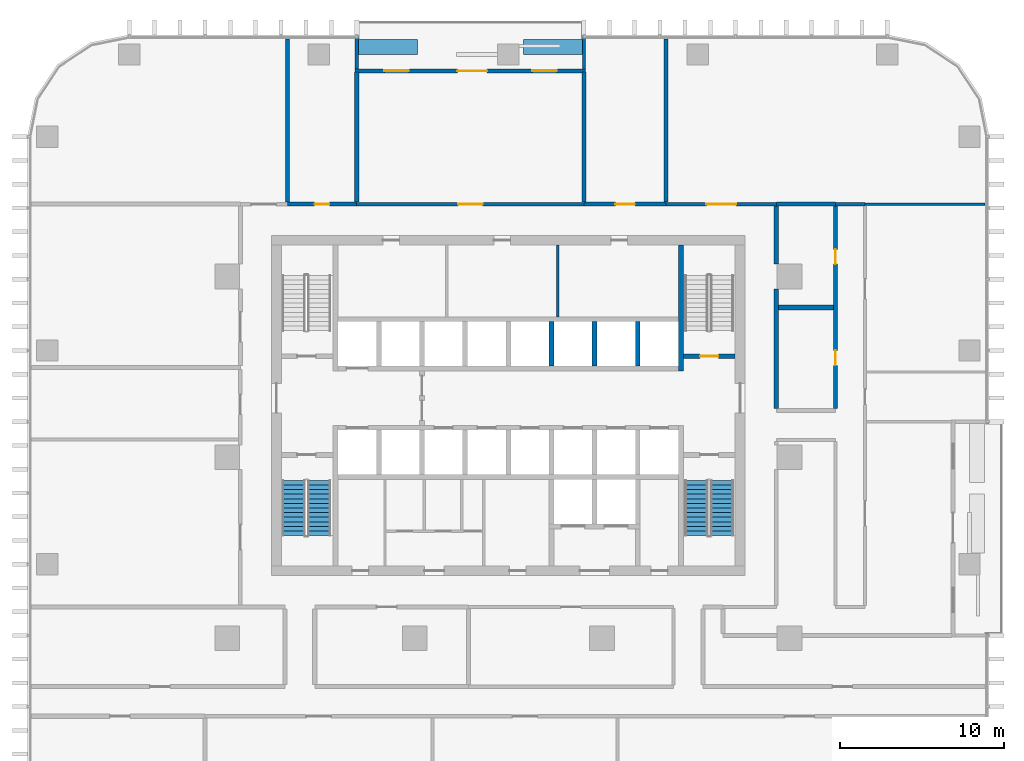
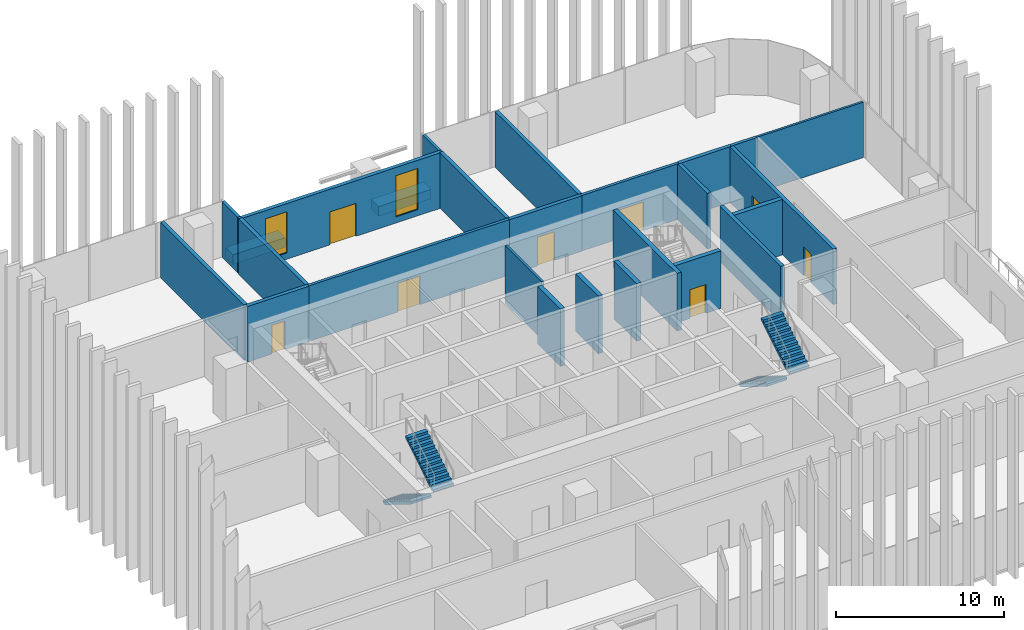
# One storey, part 10 of 17: 26 walls, 8 doors, 4 stair flights, 2 windows, 10 openings, 2 elements without a shape of their own.
"""IFC4 building model written with IfcOpenShell, lengths in metres."""

from ifc_helpers import new_model, si_unit, direction, frame, frame_2d, origin, place, context, subcontext, project, spatial, polyline, rectangle, outline, extrude, material, layer, layer_set, type_object, element, fill, aggregate, save


model = new_model("IFC4")

# Units and contexts
model_context = context("Model", 3, precision=1e-05, world=origin(), true_north=direction((0.0, 1.0)))
body_context = subcontext(model_context, "Body", "Model", "MODEL_VIEW")
ifc_project = project(units=[si_unit("LENGTHUNIT", "METRE"), si_unit("AREAUNIT", "SQUARE_METRE"), si_unit("VOLUMEUNIT", "CUBIC_METRE"), si_unit("PLANEANGLEUNIT", "RADIAN"), si_unit("MASSUNIT", "GRAM", prefix="KILO")], contexts=[model_context])

# Site, building, storey
site_placement = place(None, origin())
site = spatial("IfcSite", under=ifc_project, at=site_placement, CompositionType="ELEMENT")
building_placement = place(site_placement, origin())
building = spatial("IfcBuilding", under=site, at=building_placement, Name="Mopane Tessera Tower", CompositionType="ELEMENT")
storey_placement = place(building_placement, frame((0.0, 0.0, 135.10009765625)))
storey = spatial("IfcBuildingStorey", under=building, at=storey_placement, Name="L27", CompositionType="ELEMENT", Elevation=135.10009765625)

# Walls
ifc_material_1 = material(Name="Fire-rated gypsum board partition")
ifc_layer_1 = layer(ifc_material_1, 0.14990234375)
ifc_layer_set_1 = layer_set([ifc_layer_1], Name="Fire-rated gypsum board partition")
wall_type_1 = type_object("IfcWallType", Name="Core room partition 150 mm", PredefinedType="PARTITIONING", material=ifc_layer_set_1)
wall_1_placement = place(storey_placement, frame((3.0, 8.550048828125, 0.0), z_axis=(0.0, 0.0, 1.0), x_axis=(0.0, 1.0, 0.0)))
element("IfcWall", 1, at=wall_1_placement, inside=storey, type_object=wall_type_1, Name="L27 Room partition", PredefinedType="PARTITIONING", context=body_context, shape_type="SweptSolid", body=[
    extrude(rectangle(XDim=4.349853515625, YDim=0.14990234375, at=frame_2d((2.1748046875, 0.0))), origin(), (0.0, 0.0, 1.0), 4.199951171875),
])
ifc_material_2 = material(Name="Concrete C60/75", Category="concrete")
ifc_layer_2 = layer(ifc_material_2, 0.300048828125)
ifc_layer_set_2 = layer_set([ifc_layer_2], Name="Concrete C60/75")
wall_type_2 = type_object("IfcWallType", Name="Core spine wall 300 mm", PredefinedType="SHEAR", material=ifc_layer_set_2)
wall_2_placement = place(storey_placement, frame((10.5, 5.25, 0.0), z_axis=(0.0, 0.0, 1.0), x_axis=(0.0, 1.0, 0.0)))
element("IfcWall", 2, at=wall_2_placement, inside=storey, type_object=wall_type_2, Name="L27 Core spine wall", PredefinedType="SHEAR", context=body_context, shape_type="SweptSolid", body=[
    extrude(rectangle(XDim=7.64990234375, YDim=0.300048828125, at=frame_2d((3.824951171875, 0.0))), origin(), (0.0, 0.0, 1.0), 4.199951171875),
])

# Wall, opening, door
ifc_material_3 = material(Name="Gypsum board on steel studs, two layers each face, mineral wool infill", Category="steel")
ifc_layer_3 = layer(ifc_material_3, 0.199951171875)
ifc_layer_set_3 = layer_set([ifc_layer_3], Name="Gypsum board on steel studs, two layers each face, mineral wool infill")
wall_type_3 = type_object("IfcWallType", Name="Gypsum board corridor wall 200, rated EI 60", PredefinedType="PARTITIONING", material=ifc_layer_set_3)
wall_3_placement = place(storey_placement, frame((-9.219970703125, 15.39990234375, 0.0), z_axis=(0.0, 0.0, 1.0), x_axis=(1.0, 0.0, 0.0)))
wall_3 = element("IfcWall", 3, at=wall_3_placement, inside=storey, type_object=wall_type_3, Name="Partition L27:023", PredefinedType="PARTITIONING", context=body_context, shape_type="SweptSolid", body=[
    extrude(rectangle(XDim=13.830078125, YDim=0.199951171875, at=frame_2d((6.9150390625, 0.0))), origin(), (0.0, 0.0, 1.0), 4.0498046875),
])
opening_1_placement = place(wall_3_placement, frame((6.1650390625, 0.0, 0.0)))
opening_1 = element("IfcOpeningElement", 4, at=opening_1_placement, cuts=wall_3, Name="Opening L27-13", PredefinedType="OPENING", context=body_context, shape_type="SweptSolid", body=[
    extrude(rectangle(XDim=1.5, YDim=2.10009765625, at=frame_2d((0.75, 1.050048828125))), frame((0.0, 0.112060546875, 0.0), z_axis=(0.0, -1.0, 0.0), x_axis=(1.0, 0.0, 0.0)), (0.0, 0.0, 1.0), 0.223876953125),
])
ifc_material_4 = material(Name="Timber veneered steel-framed fire door", Category="steel")
door_type_1 = type_object("IfcDoorType", Name="Fire door pair FD60 1500 x 2100", OperationType="DOUBLE_DOOR_SINGLE_SWING", PredefinedType="DOOR", material=ifc_material_4)
door_1_placement = place(opening_1_placement, origin())
door_1 = element("IfcDoor", 5, at=door_1_placement, inside=storey, type_object=door_type_1, Name="Door L27-13", ObjectType="D17A", OperationType="DOUBLE_DOOR_SINGLE_SWING", OverallHeight=2.10009765625, OverallWidth=1.5, PredefinedType="DOOR", context=body_context, shape_type="SweptSolid", body=[
    extrude(rectangle(XDim=1.5, YDim=2.10009765625, at=frame_2d((0.75, 1.050048828125))), frame((0.0, 0.02490234375, 0.0), z_axis=(0.0, -1.0, 0.0), x_axis=(1.0, 0.0, 0.0)), (0.0, 0.0, 1.0), 0.050048828125),
])
fill(opening_1, door_1)

wall_4_placement = place(storey_placement, frame((9.60009765625, 15.39990234375, 0.0), z_axis=(0.0, 0.0, 1.0), x_axis=(1.0, 0.0, 0.0)))
wall_4 = element("IfcWall", 6, at=wall_4_placement, inside=storey, type_object=wall_type_3, Name="Partition L27:024", PredefinedType="PARTITIONING", context=body_context, shape_type="SweptSolid", body=[
    extrude(rectangle(XDim=6.699951171875, YDim=0.199951171875, at=frame_2d((3.35009765625, 0.0))), origin(), (0.0, 0.0, 1.0), 4.0498046875),
])
opening_2_placement = place(wall_4_placement, frame((2.449951171875, 0.0, 0.0)))
opening_2 = element("IfcOpeningElement", 7, at=opening_2_placement, cuts=wall_4, Name="Opening L27-19", PredefinedType="OPENING", context=body_context, shape_type="SweptSolid", body=[
    extrude(rectangle(XDim=1.800048828125, YDim=2.10009765625, at=frame_2d((0.89990234375, 1.050048828125))), frame((0.0, 0.112060546875, 0.0), z_axis=(0.0, -1.0, 0.0), x_axis=(1.0, 0.0, 0.0)), (0.0, 0.0, 1.0), 0.223876953125),
])
ifc_material_5 = material(Name="Timber veneered steel-framed fire door", Category="steel")
door_type_2 = type_object("IfcDoorType", Name="Fire door pair FD60 1800 x 2100", OperationType="DOUBLE_DOOR_SINGLE_SWING", PredefinedType="DOOR", material=ifc_material_5)
door_2_placement = place(opening_2_placement, origin())
door_2 = element("IfcDoor", 8, at=door_2_placement, inside=storey, type_object=door_type_2, Name="Door L27-19", ObjectType="D20A", OperationType="DOUBLE_DOOR_SINGLE_SWING", OverallHeight=2.10009765625, OverallWidth=1.800048828125, PredefinedType="DOOR", context=body_context, shape_type="SweptSolid", body=[
    extrude(rectangle(XDim=1.800048828125, YDim=2.10009765625, at=frame_2d((0.89990234375, 1.050048828125))), frame((0.0, 0.02490234375, 0.0), z_axis=(0.0, -1.0, 0.0), x_axis=(1.0, 0.0, 0.0)), (0.0, 0.0, 1.0), 0.050048828125),
])
fill(opening_2, door_2)

# Walls
wall_5_placement = place(storey_placement, frame((19.89990234375, 15.39990234375, 0.0), z_axis=(0.0, 0.0, 1.0), x_axis=(1.0, 0.0, 0.0)))
element("IfcWall", 9, at=wall_5_placement, inside=storey, type_object=wall_type_3, Name="Partition L27:025", PredefinedType="PARTITIONING", context=body_context, shape_type="SweptSolid", body=[
    extrude(rectangle(XDim=1.800048828125, YDim=0.199951171875, at=frame_2d((0.89990234375, 0.0))), origin(), (0.0, 0.0, 1.0), 4.0498046875),
])
ifc_material_6 = material(Name="Gypsum board on steel studs, mineral wool infill", Category="steel")
ifc_layer_4 = layer(ifc_material_6, 0.14990234375)
ifc_layer_set_4 = layer_set([ifc_layer_4], Name="Gypsum board on steel studs, mineral wool infill")
wall_type_4 = type_object("IfcWallType", Name="Gypsum board partition 150, rated EI 60", PredefinedType="PARTITIONING", material=ifc_layer_set_4)
wall_6_placement = place(storey_placement, frame((21.699951171875, 15.39990234375, 0.0), z_axis=(0.0, 0.0, 1.0), x_axis=(1.0, 0.0, 0.0)))
element("IfcWall", 10, at=wall_6_placement, inside=storey, type_object=wall_type_4, Name="Partition L27:021", PredefinedType="PARTITIONING", context=body_context, shape_type="SweptSolid", body=[
    extrude(rectangle(XDim=7.300048828125, YDim=0.14990234375, at=frame_2d((3.64990234375, 0.0))), origin(), (0.0, 0.0, 1.0), 4.0498046875),
])

# Wall, opening, door
ifc_material_7 = material(Name="Concrete C50/60", Category="concrete")
ifc_layer_5 = layer(ifc_material_7, 0.300048828125)
ifc_layer_set_5 = layer_set([ifc_layer_5], Name="Concrete C50/60")
wall_type_5 = type_object("IfcWallType", Name="Lift and stair shaft wall 300 mm", PredefinedType="SOLIDWALL", material=ifc_layer_set_5)
wall_7_placement = place(storey_placement, frame((10.64990234375, 6.14990234375, 0.0), z_axis=(0.0, 0.0, 1.0), x_axis=(1.0, 0.0, 0.0)))
wall_7 = element("IfcWall", 11, at=wall_7_placement, inside=storey, type_object=wall_type_5, Name="L27 Stair enclosure wall", PredefinedType="SOLIDWALL", context=body_context, shape_type="SweptSolid", body=[
    extrude(rectangle(XDim=3.150146484375, YDim=0.300048828125, at=frame_2d((1.5751953125, 0.0))), origin(), (0.0, 0.0, 1.0), 4.199951171875),
])
opening_3_placement = place(wall_7_placement, frame((1.02490234375, 0.0, 0.0)))
opening_3 = element("IfcOpeningElement", 12, at=opening_3_placement, cuts=wall_7, Name="Opening SD1", PredefinedType="OPENING", context=body_context, shape_type="SweptSolid", body=[
    extrude(rectangle(XDim=1.10009765625, YDim=2.10009765625, at=frame_2d((0.550048828125, 1.050048828125))), frame((0.0, 0.162109375, 0.0), z_axis=(0.0, -1.0, 0.0), x_axis=(1.0, 0.0, 0.0)), (0.0, 0.0, 1.0), 0.323974609375),
])
ifc_material_8 = material(Name="Steel fire door", Category="steel")
door_type_3 = type_object("IfcDoorType", Name="Stair fire door 1100 x 2100", OperationType="SINGLE_SWING_LEFT", PredefinedType="DOOR", material=ifc_material_8)
door_3_placement = place(opening_3_placement, origin())
door_3 = element("IfcDoor", 13, at=door_3_placement, inside=storey, type_object=door_type_3, Name="L27 Stair door ST4", OperationType="SINGLE_SWING_RIGHT", OverallHeight=2.10009765625, OverallWidth=1.10009765625, PredefinedType="DOOR", context=body_context, shape_type="SweptSolid", body=[
    extrude(rectangle(XDim=1.10009765625, YDim=2.10009765625, at=frame_2d((0.550048828125, 1.050048828125))), frame((0.0, 0.02490234375, 0.0), z_axis=(0.0, -1.0, 0.0), x_axis=(1.0, 0.0, 0.0)), (0.0, 0.0, 1.0), 0.050048828125),
])
fill(opening_3, door_3)

# Walls
for number, where, z_axis, x_axis, name in (
    (14, (2.625, 5.550048828125, 0.0), (0.0, 0.0, 1.0), (0.0, 1.0, 0.0), "L27 Lift shaft wall"),
    (15, (5.25, 5.550048828125, 0.0), (0.0, 0.0, 1.0), (0.0, 1.0, 0.0), "L27 Lift shaft wall"),
    (16, (7.875, 5.550048828125, 0.0), (0.0, 0.0, 1.0), (0.0, 1.0, 0.0), "L27 Lift shaft wall"),
):
    element("IfcWall", number, at=place(storey_placement, frame(where, z_axis=z_axis, x_axis=x_axis)), inside=storey, type_object=wall_type_5, Name=name, PredefinedType="SOLIDWALL", context=body_context, shape_type="SweptSolid", body=[
        extrude(rectangle(XDim=2.699951171875, YDim=0.300048828125, at=frame_2d((1.35009765625, 0.0))), origin(), (0.0, 0.0, 1.0), 4.199951171875),
    ])
ifc_material_9 = material(Name="Reinforced concrete C32/40 with waterproofing", Category="concrete")
ifc_layer_6 = layer(ifc_material_9, 0.89990234375)
ifc_layer_set_6 = layer_set([ifc_layer_6], Name="Reinforced concrete C32/40 with waterproofing")
wall_type_6 = type_object("IfcWallType", Name="Planter trough 3600 x 900", PredefinedType="STANDARD", material=ifc_layer_set_6)
for number, where, z_axis, x_axis, name in (
    (17, (4.510009765625, 24.949951171875, 0.0), (0.0, 0.0, 1.0), (-1.0, 0.0, 0.0), "e:nw:L27:N1:pl0"),
    (18, (-5.52001953125, 24.949951171875, 0.0), (0.0, 0.0, 1.0), (-1.0, 0.0, 0.0), "e:nw:L27:N1:pl1"),
):
    element("IfcWall", number, at=place(storey_placement, frame(where, z_axis=z_axis, x_axis=x_axis)), inside=storey, type_object=wall_type_6, Name=name, PredefinedType="STANDARD", context=body_context, shape_type="SweptSolid", body=[
        extrude(rectangle(XDim=3.60009765625, YDim=0.89990234375, at=frame_2d((1.800048828125, 0.0))), origin(), (0.0, 0.0, 1.0), 0.699951171875),
    ])
ifc_material_10 = material(Name="Plastered concrete blockwork C20/25", Category="masonry")
ifc_layer_7 = layer(ifc_material_10, 0.300048828125)
ifc_layer_set_7 = layer_set([ifc_layer_7], Name="Plastered concrete blockwork C20/25")
wall_type_7 = type_object("IfcWallType", Name="Plastered blockwork separation wall 300, rated EI 120", PredefinedType="PARTITIONING", material=ifc_layer_set_7)
wall_8_placement = place(storey_placement, frame((16.425048828125, 9.125, 0.0), z_axis=(0.0, 0.0, 1.0), x_axis=(1.0, 0.0, 0.0)))
element("IfcWall", 19, at=wall_8_placement, inside=storey, type_object=wall_type_7, Name="Partition L27:020", PredefinedType="PARTITIONING", context=body_context, shape_type="SweptSolid", body=[
    extrude(rectangle(XDim=3.349853515625, YDim=0.300048828125, at=frame_2d((1.6748046875, 0.0))), origin(), (0.0, 0.0, 1.0), 4.0498046875),
])

# Wall, opening, door
ifc_material_11 = material(Name="Plastered concrete blockwork C20/25", Category="masonry")
ifc_layer_8 = layer(ifc_material_11, 0.25)
ifc_layer_set_8 = layer_set([ifc_layer_8], Name="Plastered concrete blockwork C20/25")
wall_type_8 = type_object("IfcWallType", Name="Plastered blockwork wall 250, rated EI 120", PredefinedType="PARTITIONING", material=ifc_layer_set_8)
wall_9_placement = place(storey_placement, frame((-13.43994140625, 15.39990234375, 0.0), z_axis=(0.0, 0.0, 1.0), x_axis=(1.0, 0.0, 0.0)))
wall_9 = element("IfcWall", 20, at=wall_9_placement, inside=storey, type_object=wall_type_8, Name="Partition L27:027", PredefinedType="PARTITIONING", context=body_context, shape_type="SweptSolid", body=[
    extrude(rectangle(XDim=4.219970703125, YDim=0.25, at=frame_2d((2.10986328125, 0.0))), origin(), (0.0, 0.0, 1.0), 4.0498046875),
])
opening_4_placement = place(wall_9_placement, frame((1.659912109375, 0.0, 0.0)))
opening_4 = element("IfcOpeningElement", 21, at=opening_4_placement, cuts=wall_9, Name="Opening L27-16", PredefinedType="OPENING", context=body_context, shape_type="SweptSolid", body=[
    extrude(rectangle(XDim=0.89990234375, YDim=2.10009765625, at=frame_2d((0.449951171875, 1.050048828125))), frame((0.0, 0.136962890625, 0.0), z_axis=(0.0, -1.0, 0.0), x_axis=(1.0, 0.0, 0.0)), (0.0, 0.0, 1.0), 0.27392578125),
])
ifc_material_12 = material(Name="Timber veneered steel-framed fire door", Category="steel")
door_type_4 = type_object("IfcDoorType", Name="Fire door FD120 900 x 2100", OperationType="SINGLE_SWING_LEFT", PredefinedType="DOOR", material=ifc_material_12)
door_4_placement = place(opening_4_placement, origin())
door_4 = element("IfcDoor", 22, at=door_4_placement, inside=storey, type_object=door_type_4, Name="Door L27-16", ObjectType="D10B", OperationType="SINGLE_SWING_RIGHT", OverallHeight=2.10009765625, OverallWidth=0.89990234375, PredefinedType="DOOR", context=body_context, shape_type="SweptSolid", body=[
    extrude(rectangle(XDim=0.89990234375, YDim=2.10009765625, at=frame_2d((0.449951171875, 1.050048828125))), frame((0.0, 0.02490234375, 0.0), z_axis=(0.0, -1.0, 0.0), x_axis=(1.0, 0.0, 0.0)), (0.0, 0.0, 1.0), 0.050048828125),
])
fill(opening_4, door_4)

wall_10_placement = place(storey_placement, frame((4.610107421875, 15.39990234375, 0.0), z_axis=(0.0, 0.0, 1.0), x_axis=(1.0, 0.0, 0.0)))
wall_10 = element("IfcWall", 23, at=wall_10_placement, inside=storey, type_object=wall_type_8, Name="Partition L27:028", PredefinedType="PARTITIONING", context=body_context, shape_type="SweptSolid", body=[
    extrude(rectangle(XDim=4.989990234375, YDim=0.25, at=frame_2d((2.4951171875, 0.0))), origin(), (0.0, 0.0, 1.0), 4.0498046875),
])
opening_5_placement = place(wall_10_placement, frame((1.89501953125, 0.0, 0.0)))
opening_5 = element("IfcOpeningElement", 24, at=opening_5_placement, cuts=wall_10, Name="Opening L27-08", PredefinedType="OPENING", context=body_context, shape_type="SweptSolid", body=[
    extrude(rectangle(XDim=1.199951171875, YDim=2.10009765625, at=frame_2d((0.60009765625, 1.050048828125))), frame((0.0, 0.136962890625, 0.0), z_axis=(0.0, -1.0, 0.0), x_axis=(1.0, 0.0, 0.0)), (0.0, 0.0, 1.0), 0.27392578125),
])
ifc_material_13 = material(Name="Timber veneered steel-framed fire door", Category="steel")
door_type_5 = type_object("IfcDoorType", Name="Fire door FD120 1200 x 2100", OperationType="SINGLE_SWING_LEFT", PredefinedType="DOOR", material=ifc_material_13)
door_5_placement = place(opening_5_placement, origin())
door_5 = element("IfcDoor", 25, at=door_5_placement, inside=storey, type_object=door_type_5, Name="Door L27-08", ObjectType="D15B", OperationType="SINGLE_SWING_RIGHT", OverallHeight=2.10009765625, OverallWidth=1.199951171875, PredefinedType="DOOR", context=body_context, shape_type="SweptSolid", body=[
    extrude(rectangle(XDim=1.199951171875, YDim=2.10009765625, at=frame_2d((0.60009765625, 1.050048828125))), frame((0.0, 0.02490234375, 0.0), z_axis=(0.0, -1.0, 0.0), x_axis=(1.0, 0.0, 0.0)), (0.0, 0.0, 1.0), 0.050048828125),
])
fill(opening_5, door_5)

# Walls
wall_11_placement = place(storey_placement, frame((16.300048828125, 15.39990234375, 0.0), z_axis=(0.0, 0.0, 1.0), x_axis=(1.0, 0.0, 0.0)))
element("IfcWall", 26, at=wall_11_placement, inside=storey, type_object=wall_type_8, Name="Partition L27:029", PredefinedType="PARTITIONING", context=body_context, shape_type="SweptSolid", body=[
    extrude(rectangle(XDim=3.599853515625, YDim=0.25, at=frame_2d((1.7998046875, 0.0))), origin(), (0.0, 0.0, 1.0), 4.0498046875),
])
wall_12_placement = place(storey_placement, frame((-13.43994140625, 15.52490234375, 0.0), z_axis=(0.0, 0.0, 1.0), x_axis=(0.0, 1.0, 0.0)))
element("IfcWall", 27, at=wall_12_placement, inside=storey, type_object=wall_type_8, Name="Partition L27:036", PredefinedType="PARTITIONING", context=body_context, shape_type="SweptSolid", body=[
    extrude(rectangle(XDim=9.925048828125, YDim=0.25, at=frame_2d((4.96240234375, 0.0))), origin(), (0.0, 0.0, 1.0), 4.0498046875),
])
for number, where, z_axis, x_axis, name in (
    (28, (-9.219970703125, 15.52490234375, 0.0), (0.0, 0.0, 1.0), (0.0, 1.0, 0.0), "Partition L27:038"),
    (29, (4.610107421875, 15.52490234375, 0.0), (0.0, 0.0, 1.0), (0.0, 1.0, 0.0), "Partition L27:041"),
):
    element("IfcWall", number, at=place(storey_placement, frame(where, z_axis=z_axis, x_axis=x_axis)), inside=storey, type_object=wall_type_8, Name=name, PredefinedType="PARTITIONING", context=body_context, shape_type="SweptSolid", body=[
        extrude(rectangle(XDim=7.925048828125, YDim=0.25, at=frame_2d((3.96240234375, 0.0))), origin(), (0.0, 0.0, 1.0), 4.0498046875),
    ])
wall_13_placement = place(storey_placement, frame((9.60009765625, 15.52490234375, 0.0), z_axis=(0.0, 0.0, 1.0), x_axis=(0.0, 1.0, 0.0)))
element("IfcWall", 30, at=wall_13_placement, inside=storey, type_object=wall_type_8, Name="Partition L27:043", PredefinedType="PARTITIONING", context=body_context, shape_type="SweptSolid", body=[
    extrude(rectangle(XDim=9.925048828125, YDim=0.25, at=frame_2d((4.96240234375, 0.0))), origin(), (0.0, 0.0, 1.0), 4.0498046875),
])
wall_14_placement = place(storey_placement, frame((16.300048828125, 2.97509765625, 0.0), z_axis=(0.0, 0.0, 1.0), x_axis=(0.0, 1.0, 0.0)))
element("IfcWall", 31, at=wall_14_placement, inside=storey, type_object=wall_type_8, Name="Partition L27:049", PredefinedType="PARTITIONING", context=body_context, shape_type="SweptSolid", body=[
    extrude(rectangle(XDim=7.27490234375, YDim=0.25, at=frame_2d((3.637451171875, 0.0))), origin(), (0.0, 0.0, 1.0), 4.0498046875),
])
wall_15_placement = place(storey_placement, frame((16.300048828125, 11.75, 0.0), z_axis=(0.0, 0.0, 1.0), x_axis=(0.0, 1.0, 0.0)))
element("IfcWall", 32, at=wall_15_placement, inside=storey, type_object=wall_type_8, Name="Partition L27:050", PredefinedType="PARTITIONING", context=body_context, shape_type="SweptSolid", body=[
    extrude(rectangle(XDim=3.52490234375, YDim=0.25, at=frame_2d((1.762451171875, 0.0))), origin(), (0.0, 0.0, 1.0), 4.0498046875),
])

# Wall, openings, doors
wall_16_placement = place(storey_placement, frame((19.89990234375, 2.97509765625, 0.0), z_axis=(0.0, 0.0, 1.0), x_axis=(0.0, 1.0, 0.0)))
wall_16 = element("IfcWall", 33, at=wall_16_placement, inside=storey, type_object=wall_type_8, Name="Partition L27:052", PredefinedType="PARTITIONING", context=body_context, shape_type="SweptSolid", body=[
    extrude(rectangle(XDim=12.2998046875, YDim=0.25, at=frame_2d((6.14990234375, 0.0))), origin(), (0.0, 0.0, 1.0), 4.0498046875),
])
opening_6_placement = place(wall_16_placement, frame((8.77490234375, 0.0, 0.0)))
opening_6 = element("IfcOpeningElement", 34, at=opening_6_placement, cuts=wall_16, Name="Opening L27-09", PredefinedType="OPENING", context=body_context, shape_type="SweptSolid", body=[
    extrude(rectangle(XDim=0.89990234375, YDim=2.10009765625, at=frame_2d((0.449951171875, 1.050048828125))), frame((0.0, 0.136962890625, 0.0), z_axis=(0.0, -1.0, 0.0), x_axis=(1.0, 0.0, 0.0)), (0.0, 0.0, 1.0), 0.27392578125),
])
opening_7_placement = place(wall_16_placement, frame((2.625, 0.0, 0.0)))
opening_7 = element("IfcOpeningElement", 35, at=opening_7_placement, cuts=wall_16, Name="Opening L27-17", PredefinedType="OPENING", context=body_context, shape_type="SweptSolid", body=[
    extrude(rectangle(XDim=0.89990234375, YDim=2.10009765625, at=frame_2d((0.449951171875, 1.050048828125))), frame((0.0, 0.136962890625, 0.0), z_axis=(0.0, -1.0, 0.0), x_axis=(1.0, 0.0, 0.0)), (0.0, 0.0, 1.0), 0.27392578125),
])
door_6_placement = place(opening_6_placement, origin())
door_6 = element("IfcDoor", 36, at=door_6_placement, inside=storey, type_object=door_type_4, Name="Door L27-09", ObjectType="D10B", OperationType="SINGLE_SWING_LEFT", OverallHeight=2.10009765625, OverallWidth=0.89990234375, PredefinedType="DOOR", context=body_context, shape_type="SweptSolid", body=[
    extrude(rectangle(XDim=0.89990234375, YDim=2.10009765625, at=frame_2d((0.449951171875, 1.050048828125))), frame((0.0, 0.02490234375, 0.0), z_axis=(0.0, -1.0, 0.0), x_axis=(1.0, 0.0, 0.0)), (0.0, 0.0, 1.0), 0.050048828125),
])
fill(opening_6, door_6)
door_7_placement = place(opening_7_placement, origin())
door_7 = element("IfcDoor", 37, at=door_7_placement, inside=storey, type_object=door_type_4, Name="Door L27-17", ObjectType="D10B", OperationType="SINGLE_SWING_LEFT", OverallHeight=2.10009765625, OverallWidth=0.89990234375, PredefinedType="DOOR", context=body_context, shape_type="SweptSolid", body=[
    extrude(rectangle(XDim=0.89990234375, YDim=2.10009765625, at=frame_2d((0.449951171875, 1.050048828125))), frame((0.0, 0.02490234375, 0.0), z_axis=(0.0, -1.0, 0.0), x_axis=(1.0, 0.0, 0.0)), (0.0, 0.0, 1.0), 0.050048828125),
])
fill(opening_7, door_7)

# Walls
ifc_material_14 = material(Name="Blockwork with glazed tile facing", Category="masonry")
ifc_layer_9 = layer(ifc_material_14, 0.199951171875)
ifc_layer_set_9 = layer_set([ifc_layer_9], Name="Blockwork with glazed tile facing")
wall_type_9 = type_object("IfcWallType", Name="Terrace cheek wall 200", PredefinedType="STANDARD", material=ifc_layer_set_9)
for number, where, z_axis, x_axis, name in (
    (38, (4.610107421875, 25.5, 0.0), (0.0, 0.0, 1.0), (0.0, -1.0, 0.0), "e:nw:L27:N1:cheeka"),
    (39, (-9.219970703125, 25.5, 0.0), (0.0, 0.0, 1.0), (0.0, -1.0, 0.0), "e:nw:L27:N1:cheekb"),
):
    element("IfcWall", number, at=place(storey_placement, frame(where, z_axis=z_axis, x_axis=x_axis)), inside=storey, type_object=wall_type_9, Name=name, PredefinedType="STANDARD", context=body_context, shape_type="SweptSolid", body=[
        extrude(rectangle(XDim=1.875, YDim=0.199951171875, at=frame_2d((0.9375, 0.0))), origin(), (0.0, 0.0, 1.0), 4.0498046875),
    ])

# Wall, openings, windows, door
ifc_material_15 = material(Name="Blockwork with ultramarine glazed tile facing", Category="masonry")
ifc_layer_10 = layer(ifc_material_15, 0.25)
ifc_layer_set_10 = layer_set([ifc_layer_10], Name="Blockwork with ultramarine glazed tile facing")
wall_type_10 = type_object("IfcWallType", Name="Tile-clad external wall 250, ultramarine", PredefinedType="STANDARD", material=ifc_layer_set_10)
wall_17_placement = place(storey_placement, frame((4.7099609375, 23.5, 0.0), z_axis=(0.0, 0.0, 1.0), x_axis=(-1.0, 0.0, 0.0)))
wall_17 = element("IfcWall", 40, at=wall_17_placement, inside=storey, type_object=wall_type_10, Name="e:nw:L27:N1:back", PredefinedType="STANDARD", context=body_context, shape_type="SweptSolid", body=[
    extrude(rectangle(XDim=14.030029296875, YDim=0.25, at=frame_2d((7.01513671875, 0.0))), origin(), (0.0, 0.0, 1.0), 4.0498046875),
])
opening_8_placement = place(wall_17_placement, frame((1.75, 0.0, 0.449951171875)))
opening_8 = element("IfcOpeningElement", 41, at=opening_8_placement, cuts=wall_17, Name="Opening NW271A", PredefinedType="OPENING", context=body_context, shape_type="SweptSolid", body=[
    extrude(rectangle(XDim=1.5, YDim=3.0, at=frame_2d((0.75, 1.5))), frame((0.0, 0.136962890625, 0.0), z_axis=(0.0, -1.0, 0.0), x_axis=(1.0, 0.0, 0.0)), (0.0, 0.0, 1.0), 0.27392578125),
])
opening_9_placement = place(wall_17_placement, frame((6.0, 0.0, 0.0)))
opening_9 = element("IfcOpeningElement", 42, at=opening_9_placement, cuts=wall_17, Name="Opening ND271", PredefinedType="OPENING", context=body_context, shape_type="SweptSolid", body=[
    extrude(rectangle(XDim=1.800048828125, YDim=2.39990234375, at=frame_2d((0.89990234375, 1.199951171875))), frame((0.0, 0.136962890625, 0.0), z_axis=(0.0, -1.0, 0.0), x_axis=(1.0, 0.0, 0.0)), (0.0, 0.0, 1.0), 0.27392578125),
])
opening_10_placement = place(wall_17_placement, frame((10.75, 0.0, 0.449951171875)))
opening_10 = element("IfcOpeningElement", 43, at=opening_10_placement, cuts=wall_17, Name="Opening NW271B", PredefinedType="OPENING", context=body_context, shape_type="SweptSolid", body=[
    extrude(rectangle(XDim=1.5, YDim=3.0, at=frame_2d((0.75, 1.5))), frame((0.0, 0.136962890625, 0.0), z_axis=(0.0, -1.0, 0.0), x_axis=(1.0, 0.0, 0.0)), (0.0, 0.0, 1.0), 0.27392578125),
])
ifc_material_16 = material(Name="Clear laminated glass", Category="glass")
window_type = type_object("IfcWindowType", Name="Fixed window 1500 x 3000", PartitioningType="SINGLE_PANEL", PredefinedType="WINDOW", material=ifc_material_16)
window_1_placement = place(opening_8_placement, origin())
window_1 = element("IfcWindow", 44, at=window_1_placement, inside=storey, type_object=window_type, Name="e:nw:L27:N1:win0", OverallHeight=3.0, OverallWidth=1.5, PartitioningType="SINGLE_PANEL", PredefinedType="WINDOW", context=body_context, shape_type="SweptSolid", body=[
    extrude(rectangle(XDim=1.5, YDim=3.0, at=frame_2d((0.75, 1.5))), frame((0.0, 0.030029296875, 0.0), z_axis=(0.0, -1.0, 0.0), x_axis=(1.0, 0.0, 0.0)), (0.0, 0.0, 1.0), 0.06005859375),
])
fill(opening_8, window_1)
window_2_placement = place(opening_10_placement, origin())
window_2 = element("IfcWindow", 45, at=window_2_placement, inside=storey, type_object=window_type, Name="e:nw:L27:N1:win2", OverallHeight=3.0, OverallWidth=1.5, PartitioningType="SINGLE_PANEL", PredefinedType="WINDOW", context=body_context, shape_type="SweptSolid", body=[
    extrude(rectangle(XDim=1.5, YDim=3.0, at=frame_2d((0.75, 1.5))), frame((0.0, 0.030029296875, 0.0), z_axis=(0.0, -1.0, 0.0), x_axis=(1.0, 0.0, 0.0)), (0.0, 0.0, 1.0), 0.06005859375),
])
fill(opening_10, window_2)
ifc_material_17 = material(Name="Aluminium and clear glass", Category="aluminium")
door_type_6 = type_object("IfcDoorType", Name="Terrace double door 1800 x 2400", OperationType="DOUBLE_DOOR_SINGLE_SWING", PredefinedType="DOOR", material=ifc_material_17)
door_8_placement = place(opening_9_placement, origin())
door_8 = element("IfcDoor", 46, at=door_8_placement, inside=storey, type_object=door_type_6, Name="e:nw:L27:N1:door", ObjectType="D1", OperationType="DOUBLE_DOOR_SINGLE_SWING", OverallHeight=2.39990234375, OverallWidth=1.800048828125, PredefinedType="DOOR", context=body_context, shape_type="SweptSolid", body=[
    extrude(rectangle(XDim=1.800048828125, YDim=2.39990234375, at=frame_2d((0.89990234375, 1.199951171875))), frame((0.0, 0.02490234375, 0.0), z_axis=(0.0, -1.0, 0.0), x_axis=(1.0, 0.0, 0.0)), (0.0, 0.0, 1.0), 0.050048828125),
])
fill(opening_9, door_8)

# Stair, stair flights
ifc_material_18 = material(Name="Concrete C50/60", Category="concrete")
stair_type = type_object("IfcStairType", Name="Escape stair 1400 mm, riser 173 mm", PredefinedType="HALF_TURN_STAIR", material=ifc_material_18)
stair_1_placement = place(storey_placement, origin())
stair_1 = element("IfcStair", 47, at=stair_1_placement, inside=storey, type_object=stair_type, Name="L27 Escape stair south-west", PredefinedType="HALF_TURN_STAIR")
ifc_material_19 = material(Name="Concrete C50/60", Category="concrete")
stair_flight_type = type_object("IfcStairFlightType", Name="Escape stair flight 1400 mm", PredefinedType="STRAIGHT", material=ifc_material_19)
stair_flight_1_placement = place(storey_placement, frame((-13.050048828125, -1.39990234375, 0.0), z_axis=(0.0, 0.0, 1.0), x_axis=(0.0, -1.0, 0.0)))
stair_flight_1 = element("IfcStairFlight", 48, at=stair_flight_1_placement, type_object=stair_flight_type, Name="ST1 flight 1", NumberOfRisers=13, NumberOfTreads=12, PredefinedType="STRAIGHT", RiserHeight=0.173076923, TreadLength=0.28, context=body_context, shape_type="SweptSolid", body=[
    extrude(outline(polyline([(0.0, 0.0), (0.0, 0.173095703125), (0.280029296875, 0.173095703125), (0.280029296875, 0.34619140625), (0.56005859375, 0.34619140625), (0.56005859375, 0.519287109375), (0.840087890625, 0.519287109375), (0.840087890625, 0.6923828125), (1.1201171875, 0.6923828125), (1.1201171875, 0.865478515625), (1.39990234375, 0.865478515625), (1.39990234375, 1.03857421875), (1.679931640625, 1.03857421875), (1.679931640625, 1.21142578125), (1.9599609375, 1.21142578125), (1.9599609375, 1.384521484375), (2.239990234375, 1.384521484375), (2.239990234375, 1.5576171875), (2.52001953125, 1.5576171875), (2.52001953125, 1.730712890625), (2.800048828125, 1.730712890625), (2.800048828125, 1.90380859375), (3.080078125, 1.90380859375), (3.080078125, 2.076904296875), (3.360107421875, 2.076904296875), (3.360107421875, 2.25), (3.360107421875, 1.900634765625), (0.28515625, 0.0), (0.0, 0.0)])), frame((0.0, 0.699951171875, 0.0), z_axis=(0.0, -1.0, 0.0), x_axis=(1.0, 0.0, 0.0)), (0.0, 0.0, 1.0), 1.39990234375),
])
stair_flight_2_placement = place(storey_placement, frame((-11.5, -4.760009765625, 2.25), z_axis=(0.0, 0.0, 1.0), x_axis=(0.0, 1.0, 0.0)))
stair_flight_2 = element("IfcStairFlight", 49, at=stair_flight_2_placement, type_object=stair_flight_type, Name="ST1 flight 2", NumberOfRisers=13, NumberOfTreads=12, PredefinedType="STRAIGHT", RiserHeight=0.173076923, TreadLength=0.28, context=body_context, shape_type="SweptSolid", body=[
    extrude(outline(polyline([(0.0, 0.0), (0.0, 0.173095703125), (0.280029296875, 0.173095703125), (0.280029296875, 0.34619140625), (0.56005859375, 0.34619140625), (0.56005859375, 0.519287109375), (0.840087890625, 0.519287109375), (0.840087890625, 0.6923828125), (1.1201171875, 0.6923828125), (1.1201171875, 0.865478515625), (1.39990234375, 0.865478515625), (1.39990234375, 1.03857421875), (1.679931640625, 1.03857421875), (1.679931640625, 1.21142578125), (1.9599609375, 1.21142578125), (1.9599609375, 1.384521484375), (2.239990234375, 1.384521484375), (2.239990234375, 1.5576171875), (2.52001953125, 1.5576171875), (2.52001953125, 1.730712890625), (2.800048828125, 1.730712890625), (2.800048828125, 1.90380859375), (3.080078125, 1.90380859375), (3.080078125, 2.076904296875), (3.360107421875, 2.076904296875), (3.360107421875, 2.25), (3.360107421875, 1.900634765625), (0.28515625, 0.0), (0.0, 0.0)])), frame((0.0, 0.699951171875, 0.0), z_axis=(0.0, -1.0, 0.0), x_axis=(1.0, 0.0, 0.0)), (0.0, 0.0, 1.0), 1.39990234375),
])
aggregate(stair_1, [stair_flight_1, stair_flight_2])

stair_2_placement = place(storey_placement, origin())
stair_2 = element("IfcStair", 50, at=stair_2_placement, inside=storey, type_object=stair_type, Name="L27 Escape stair south-east", PredefinedType="HALF_TURN_STAIR")
stair_flight_3_placement = place(storey_placement, frame((11.449951171875, -1.39990234375, 0.0), z_axis=(0.0, 0.0, 1.0), x_axis=(0.0, -1.0, 0.0)))
stair_flight_3 = element("IfcStairFlight", 51, at=stair_flight_3_placement, type_object=stair_flight_type, Name="ST3 flight 1", NumberOfRisers=13, NumberOfTreads=12, PredefinedType="STRAIGHT", RiserHeight=0.173076923, TreadLength=0.28, context=body_context, shape_type="SweptSolid", body=[
    extrude(outline(polyline([(0.0, 0.0), (0.0, 0.173095703125), (0.280029296875, 0.173095703125), (0.280029296875, 0.34619140625), (0.56005859375, 0.34619140625), (0.56005859375, 0.519287109375), (0.840087890625, 0.519287109375), (0.840087890625, 0.6923828125), (1.1201171875, 0.6923828125), (1.1201171875, 0.865478515625), (1.39990234375, 0.865478515625), (1.39990234375, 1.03857421875), (1.679931640625, 1.03857421875), (1.679931640625, 1.21142578125), (1.9599609375, 1.21142578125), (1.9599609375, 1.384521484375), (2.239990234375, 1.384521484375), (2.239990234375, 1.5576171875), (2.52001953125, 1.5576171875), (2.52001953125, 1.730712890625), (2.800048828125, 1.730712890625), (2.800048828125, 1.90380859375), (3.080078125, 1.90380859375), (3.080078125, 2.076904296875), (3.360107421875, 2.076904296875), (3.360107421875, 2.25), (3.360107421875, 1.900634765625), (0.28515625, 0.0), (0.0, 0.0)])), frame((0.0, 0.699951171875, 0.0), z_axis=(0.0, -1.0, 0.0), x_axis=(1.0, 0.0, 0.0)), (0.0, 0.0, 1.0), 1.39990234375),
])
stair_flight_4_placement = place(storey_placement, frame((13.0, -4.760009765625, 2.25), z_axis=(0.0, 0.0, 1.0), x_axis=(0.0, 1.0, 0.0)))
stair_flight_4 = element("IfcStairFlight", 52, at=stair_flight_4_placement, type_object=stair_flight_type, Name="ST3 flight 2", NumberOfRisers=13, NumberOfTreads=12, PredefinedType="STRAIGHT", RiserHeight=0.173076923, TreadLength=0.28, context=body_context, shape_type="SweptSolid", body=[
    extrude(outline(polyline([(0.0, 0.0), (0.0, 0.173095703125), (0.280029296875, 0.173095703125), (0.280029296875, 0.34619140625), (0.56005859375, 0.34619140625), (0.56005859375, 0.519287109375), (0.840087890625, 0.519287109375), (0.840087890625, 0.6923828125), (1.1201171875, 0.6923828125), (1.1201171875, 0.865478515625), (1.39990234375, 0.865478515625), (1.39990234375, 1.03857421875), (1.679931640625, 1.03857421875), (1.679931640625, 1.21142578125), (1.9599609375, 1.21142578125), (1.9599609375, 1.384521484375), (2.239990234375, 1.384521484375), (2.239990234375, 1.5576171875), (2.52001953125, 1.5576171875), (2.52001953125, 1.730712890625), (2.800048828125, 1.730712890625), (2.800048828125, 1.90380859375), (3.080078125, 1.90380859375), (3.080078125, 2.076904296875), (3.360107421875, 2.076904296875), (3.360107421875, 2.25), (3.360107421875, 1.900634765625), (0.28515625, 0.0), (0.0, 0.0)])), frame((0.0, 0.699951171875, 0.0), z_axis=(0.0, -1.0, 0.0), x_axis=(1.0, 0.0, 0.0)), (0.0, 0.0, 1.0), 1.39990234375),
])
aggregate(stair_2, [stair_flight_3, stair_flight_4])

save(model, "model.ifc")
